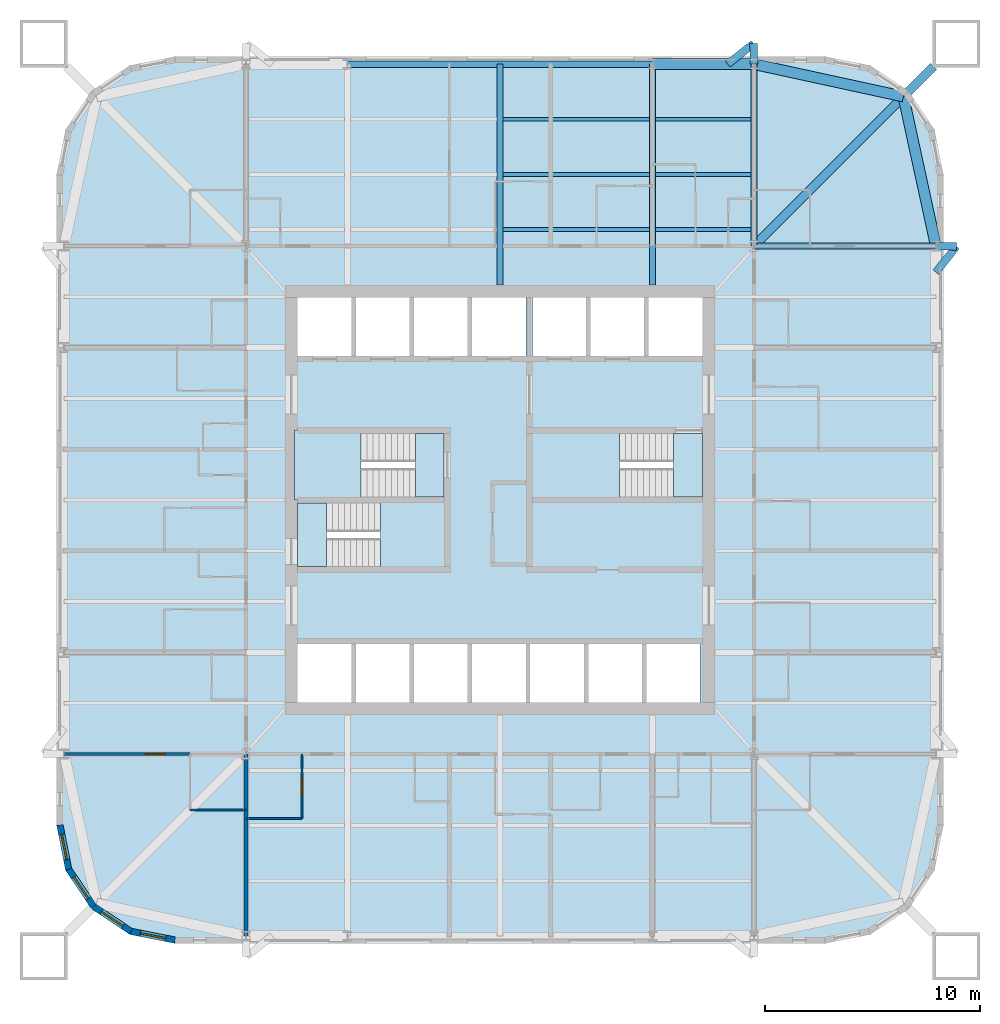
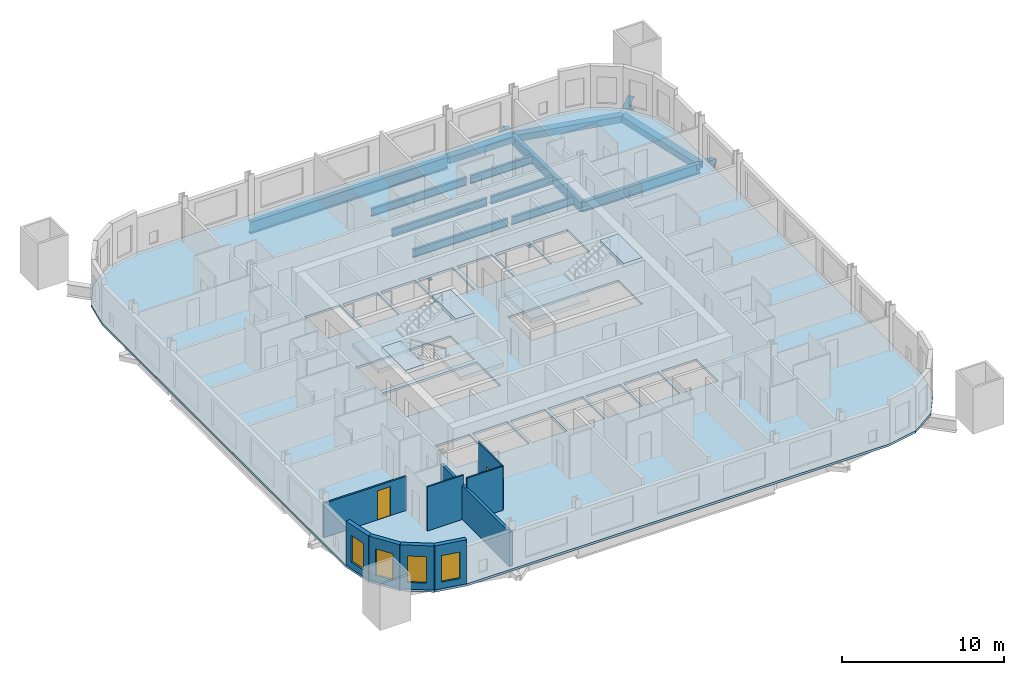
# One storey, part 2 of 9: 19 beams, 9 walls, 7 slabs, 4 windows, 2 doors, 6 openings, 3 elements without a shape of their own.
"""IFC4 building model written with IfcOpenShell, lengths in metres."""

from ifc_helpers import new_model, si_unit, direction, frame, frame_2d, origin, origin_2d, place, context, subcontext, project, spatial, polyline, rectangle, hollow_rectangle, i_section, outline, extrude, material, layer, layer_set, material_profile, profile_set, type_object, element, fill, aggregate, save


model = new_model("IFC4")

# Units and contexts
model_context = context("Model", 3, precision=1e-05, world=origin(), true_north=direction((0.0, 1.0)))
body_context = subcontext(model_context, "Body", "Model", "MODEL_VIEW")
ifc_project = project(units=[si_unit("LENGTHUNIT", "METRE"), si_unit("AREAUNIT", "SQUARE_METRE"), si_unit("VOLUMEUNIT", "CUBIC_METRE"), si_unit("PLANEANGLEUNIT", "RADIAN"), si_unit("MASSUNIT", "GRAM", prefix="KILO")], contexts=[model_context])

# Site, building, storey
site_placement = place(None, origin())
site = spatial("IfcSite", under=ifc_project, at=site_placement, CompositionType="ELEMENT")
building_placement = place(site_placement, origin())
building = spatial("IfcBuilding", under=site, at=building_placement, Name="Turquesa Mirador Hotel Tower", CompositionType="ELEMENT")
storey_placement = place(building_placement, frame((0.0, 0.0, 142.39990234375)))
storey = spatial("IfcBuildingStorey", under=building, at=storey_placement, Name="L38", CompositionType="ELEMENT", Elevation=142.39990234375)

# Beams
ifc_material_1 = material(Name="Steel ASTM A572 Grade 50", Category="steel")
ifc_material_profile_1 = material_profile(ifc_material_1, hollow_rectangle(XDim=0.5, YDim=0.5, WallThickness=0.01611328125, at=origin_2d()), Name="BOX500X500X16")
ifc_profile_set_1 = profile_set([ifc_material_profile_1], Name="Steel ASTM A572 Grade 50")
beam_type_1 = type_object("IfcBeamType", Name="BEAM BOX500X500X16", PredefinedType="BEAM", material=ifc_profile_set_1)
beam_1_placement = place(storey_placement, frame((62.080078125, 65.25, -0.419921875), z_axis=(1.0, 0.0, 0.0), x_axis=(0.0, 1.0, 0.0)))
element("IfcBeam", 1, at=beam_1_placement, inside=storey, type_object=beam_type_1, Name="EB-L38-N-R", PredefinedType="BEAM", context=body_context, shape_type="SweptSolid", body=[
    extrude(hollow_rectangle(XDim=0.5, YDim=0.5, WallThickness=0.01611328125, at=origin_2d()), origin(), (0.0, 0.0, 1.0), 4.719970703125),
])
for number, where, z_axis, x_axis, name in (
    (2, (75.25, 56.800048828125, -0.419921875), (-0.212328336885, 0.977198381781, 0.0), (-0.977198381781, -0.212328336885, 0.0), "KE-L38-1-0"),
    (3, (73.74169921875, 63.74169921875, -0.419921875), (-0.977198381781, 0.212328336885, 0.0), (-0.212328336885, -0.977198381781, 0.0), "KE-L38-1-1"),
):
    element("IfcBeam", number, at=place(storey_placement, frame(where, z_axis=z_axis, x_axis=x_axis)), inside=storey, type_object=beam_type_1, Name=name, PredefinedType="BEAM", context=body_context, shape_type="SweptSolid", body=[
        extrude(hollow_rectangle(XDim=0.5, YDim=0.5, WallThickness=0.01611328125, at=origin_2d()), origin(), (0.0, 0.0, 1.0), 7.103515625),
    ])
ifc_material_2 = material(Name="Steel ASTM A992 Grade 50", Category="steel")
ifc_material_profile_2 = material_profile(ifc_material_2, i_section(OverallWidth=0.177978515625, OverallDepth=0.599365234375, WebThickness=0.010009765625, FlangeThickness=0.012939453125, at=origin_2d()), Name="W24X55")
ifc_profile_set_2 = profile_set([ifc_material_profile_2], Name="Steel ASTM A992 Grade 50")
beam_type_2 = type_object("IfcBeamType", Name="BEAM W24X55", PredefinedType="BEAM", material=ifc_profile_set_2)
beam_2_placement = place(storey_placement, frame((55.13330078125, 57.56201171875, -0.4697265625), z_axis=(1.0, 0.0, 0.0), x_axis=(0.0, 1.0, 0.0)))
element("IfcBeam", 4, at=beam_2_placement, inside=storey, type_object=beam_type_2, Name="IB-L38-N-1-2", PredefinedType="BEAM", context=body_context, shape_type="SweptSolid", body=[
    extrude(i_section(OverallWidth=0.177978515625, OverallDepth=0.599365234375, WebThickness=0.010009765625, FlangeThickness=0.012939453125, at=origin_2d()), origin(), (0.0, 0.0, 1.0), 6.813232421875),
])
beam_3_placement = place(storey_placement, frame((62.21337890625, 57.56201171875, -0.4697265625), z_axis=(1.0, 0.0, 0.0), x_axis=(0.0, 1.0, 0.0)))
element("IfcBeam", 5, at=beam_3_placement, inside=storey, type_object=beam_type_2, Name="IB-L38-N-1-3", PredefinedType="BEAM", context=body_context, shape_type="SweptSolid", body=[
    extrude(i_section(OverallWidth=0.177978515625, OverallDepth=0.599365234375, WebThickness=0.010009765625, FlangeThickness=0.012939453125, at=origin_2d()), origin(), (0.0, 0.0, 1.0), 4.453369140625),
])
beam_4_placement = place(storey_placement, frame((55.13330078125, 60.125, -0.4697265625), z_axis=(1.0, 0.0, 0.0), x_axis=(0.0, 1.0, 0.0)))
element("IfcBeam", 6, at=beam_4_placement, inside=storey, type_object=beam_type_2, Name="IB-L38-N-2-2", PredefinedType="BEAM", context=body_context, shape_type="SweptSolid", body=[
    extrude(i_section(OverallWidth=0.177978515625, OverallDepth=0.599365234375, WebThickness=0.010009765625, FlangeThickness=0.012939453125, at=origin_2d()), origin(), (0.0, 0.0, 1.0), 6.813232421875),
])
beam_5_placement = place(storey_placement, frame((62.21337890625, 60.125, -0.4697265625), z_axis=(1.0, 0.0, 0.0), x_axis=(0.0, 1.0, 0.0)))
element("IfcBeam", 7, at=beam_5_placement, inside=storey, type_object=beam_type_2, Name="IB-L38-N-2-3", PredefinedType="BEAM", context=body_context, shape_type="SweptSolid", body=[
    extrude(i_section(OverallWidth=0.177978515625, OverallDepth=0.599365234375, WebThickness=0.010009765625, FlangeThickness=0.012939453125, at=origin_2d()), origin(), (0.0, 0.0, 1.0), 4.453369140625),
])
beam_6_placement = place(storey_placement, frame((55.13330078125, 62.68798828125, -0.4697265625), z_axis=(1.0, 0.0, 0.0), x_axis=(0.0, 1.0, 0.0)))
element("IfcBeam", 8, at=beam_6_placement, inside=storey, type_object=beam_type_2, Name="IB-L38-N-3-2", PredefinedType="BEAM", context=body_context, shape_type="SweptSolid", body=[
    extrude(i_section(OverallWidth=0.177978515625, OverallDepth=0.599365234375, WebThickness=0.010009765625, FlangeThickness=0.012939453125, at=origin_2d()), origin(), (0.0, 0.0, 1.0), 6.813232421875),
])
beam_7_placement = place(storey_placement, frame((62.21337890625, 62.68798828125, -0.4697265625), z_axis=(1.0, 0.0, 0.0), x_axis=(0.0, 1.0, 0.0)))
element("IfcBeam", 9, at=beam_7_placement, inside=storey, type_object=beam_type_2, Name="IB-L38-N-3-3", PredefinedType="BEAM", context=body_context, shape_type="SweptSolid", body=[
    extrude(i_section(OverallWidth=0.177978515625, OverallDepth=0.599365234375, WebThickness=0.010009765625, FlangeThickness=0.012939453125, at=origin_2d()), origin(), (0.0, 0.0, 1.0), 4.453369140625),
])
ifc_material_3 = material(Name="Steel ASTM A992 Grade 50", Category="steel")
ifc_material_profile_3 = material_profile(ifc_material_3, i_section(OverallWidth=0.2666015625, OverallDepth=0.7568359375, WebThickness=0.013916015625, FlangeThickness=0.019287109375, at=origin_2d()), Name="W30X108")
ifc_profile_set_3 = profile_set([ifc_material_profile_3], Name="Steel ASTM A992 Grade 50")
beam_type_3 = type_object("IfcBeamType", Name="BEAM W30X108", PredefinedType="BEAM", material=ifc_profile_set_3)
for number, where, z_axis, x_axis, name in (
    (10, (62.080078125, 65.25, -0.54833984375), (0.0, -1.0, 0.0), (1.0, 0.0, 0.0), "GD-L38-N-+7.08"),
    (11, (55.0, 65.25, -0.54833984375), (0.0, -1.0, 0.0), (1.0, 0.0, 0.0), "GD-L38-N-+0.00"),
):
    element("IfcBeam", number, at=place(storey_placement, frame(where, z_axis=z_axis, x_axis=x_axis)), inside=storey, type_object=beam_type_3, Name=name, PredefinedType="BEAM", context=body_context, shape_type="SweptSolid", body=[
        extrude(i_section(OverallWidth=0.2666015625, OverallDepth=0.7568359375, WebThickness=0.013916015625, FlangeThickness=0.019287109375, at=origin_2d()), origin(), (0.0, 0.0, 1.0), 10.25),
    ])
for number, where, z_axis, x_axis, name in (
    (12, (66.800048828125, 65.25, -0.54833984375), (0.0, -1.0, 0.0), (1.0, 0.0, 0.0), "GK-L38-N-+11.80"),
    (13, (75.25, 56.800048828125, -0.54833984375), (-1.0, 0.0, 0.0), (0.0, -1.0, 0.0), "GK-L38-E-+11.80"),
):
    element("IfcBeam", number, at=place(storey_placement, frame(where, z_axis=z_axis, x_axis=x_axis)), inside=storey, type_object=beam_type_3, Name=name, PredefinedType="BEAM", context=body_context, shape_type="SweptSolid", body=[
        extrude(i_section(OverallWidth=0.2666015625, OverallDepth=0.7568359375, WebThickness=0.013916015625, FlangeThickness=0.019287109375, at=origin_2d()), origin(), (0.0, 0.0, 1.0), 8.449951171875),
    ])
ifc_material_4 = material(Name="Steel ASTM A992 Grade 50", Category="steel")
ifc_material_profile_4 = material_profile(ifc_material_4, i_section(OverallWidth=0.3046875, OverallDepth=0.911865234375, WebThickness=0.015869140625, FlangeThickness=0.02392578125, at=origin_2d()), Name="W36X150")
ifc_profile_set_4 = profile_set([ifc_material_profile_4], Name="Steel ASTM A992 Grade 50")
beam_type_4 = type_object("IfcBeamType", Name="BEAM W36X150", PredefinedType="BEAM", material=ifc_profile_set_4)
beam_8_placement = place(storey_placement, frame((47.919921875, 65.25, -0.625732421875), z_axis=(1.0, 0.0, 0.0), x_axis=(0.0, 1.0, 0.0)))
element("IfcBeam", 14, at=beam_8_placement, inside=storey, type_object=beam_type_4, Name="EB-L38-N-C", PredefinedType="BEAM", context=body_context, shape_type="SweptSolid", body=[
    extrude(i_section(OverallWidth=0.3046875, OverallDepth=0.911865234375, WebThickness=0.015869140625, FlangeThickness=0.02392578125, at=origin_2d()), origin(), (0.0, 0.0, 1.0), 14.16015625),
])
ifc_material_5 = material(Name="Steel ASTM A992 Grade 50", Category="steel")
ifc_material_profile_5 = material_profile(ifc_material_5, i_section(OverallWidth=0.419189453125, OverallDepth=0.927001953125, WebThickness=0.019287109375, FlangeThickness=0.031982421875, at=origin_2d()), Name="W36X231")
ifc_profile_set_5 = profile_set([ifc_material_profile_5], Name="Steel ASTM A992 Grade 50")
beam_type_5 = type_object("IfcBeamType", Name="BEAM W36X231", PredefinedType="BEAM", material=ifc_profile_set_5)
beam_9_placement = place(storey_placement, frame((66.800048828125, 56.800048828125, -0.633544921875), z_axis=(0.707106781187, 0.707106781187, 0.0), x_axis=(-0.707106781187, 0.707106781187, 0.0)))
element("IfcBeam", 15, at=beam_9_placement, inside=storey, type_object=beam_type_5, Name="KD-L38-1", PredefinedType="BEAM", context=body_context, shape_type="SweptSolid", body=[
    extrude(i_section(OverallWidth=0.419189453125, OverallDepth=0.927001953125, WebThickness=0.019287109375, FlangeThickness=0.031982421875, at=origin_2d()), origin(), (0.0, 0.0, 1.0), 11.80859375),
])
ifc_material_6 = material(Name="Steel ASTM A500 Grade C", Category="steel")
ifc_material_profile_6 = material_profile(ifc_material_6, hollow_rectangle(XDim=0.355712890625, YDim=0.355712890625, WallThickness=0.0146484375, at=origin_2d()), Name="HSS14X14X5/8")
ifc_profile_set_6 = profile_set([ifc_material_profile_6], Name="Steel ASTM A500 Grade C")
beam_type_6 = type_object("IfcBeamType", Name="BRACE STRUT HSS14X14X5/8", PredefinedType="BEAM", material=ifc_profile_set_6)
beam_10_placement = place(storey_placement, frame((66.77783203125, 66.199951171875, -0.34765625), z_axis=(-0.784049059149, -0.620698858423, 0.0), x_axis=(0.620698858423, -0.784049059149, 0.0)))
element("IfcBeam", 16, at=beam_10_placement, inside=storey, type_object=beam_type_6, Name="Brace strut", PredefinedType="BEAM", context=body_context, shape_type="SweptSolid", body=[
    extrude(hollow_rectangle(XDim=0.355712890625, YDim=0.355712890625, WallThickness=0.0146484375, at=origin_2d()), origin(), (0.0, 0.0, 1.0), 1.530517578125),
])
beam_11_placement = place(storey_placement, frame((66.77783203125, 66.199951171875, -0.34765625), z_axis=(0.023380910628, -0.999726629143, 0.0), x_axis=(0.999726629143, 0.023380910628, 0.0)))
element("IfcBeam", 17, at=beam_11_placement, inside=storey, type_object=beam_type_6, Name="Brace strut", PredefinedType="BEAM", context=body_context, shape_type="SweptSolid", body=[
    extrude(hollow_rectangle(XDim=0.355712890625, YDim=0.355712890625, WallThickness=0.0146484375, at=origin_2d()), origin(), (0.0, 0.0, 1.0), 0.9501953125),
])
beam_12_placement = place(storey_placement, frame((76.199951171875, 56.77783203125, -0.34765625), z_axis=(-0.620698858423, -0.784049059149, 0.0), x_axis=(0.784049059149, -0.620698858423, 0.0)))
element("IfcBeam", 18, at=beam_12_placement, inside=storey, type_object=beam_type_6, Name="Brace strut", PredefinedType="BEAM", context=body_context, shape_type="SweptSolid", body=[
    extrude(hollow_rectangle(XDim=0.355712890625, YDim=0.355712890625, WallThickness=0.0146484375, at=origin_2d()), origin(), (0.0, 0.0, 1.0), 1.530517578125),
])
beam_13_placement = place(storey_placement, frame((76.199951171875, 56.77783203125, -0.34765625), z_axis=(-0.999726629143, 0.023380910628, 0.0), x_axis=(-0.023380910628, -0.999726629143, 0.0)))
element("IfcBeam", 19, at=beam_13_placement, inside=storey, type_object=beam_type_6, Name="Brace strut", PredefinedType="BEAM", context=body_context, shape_type="SweptSolid", body=[
    extrude(hollow_rectangle(XDim=0.355712890625, YDim=0.355712890625, WallThickness=0.0146484375, at=origin_2d()), origin(), (0.0, 0.0, 1.0), 0.9501953125),
])

# Slab
ifc_material_7 = material(Name="Concrete C28/35", Category="concrete")
ifc_layer_1 = layer(ifc_material_7, 0.169921875)
ifc_layer_set_1 = layer_set([ifc_layer_1], Name="COMPOSITE FLOOR SLAB 170")
slab_type_1 = type_object("IfcSlabType", Name="COMPOSITE FLOOR SLAB 170", PredefinedType="FLOOR", material=ifc_layer_set_1)
slab_1_placement = place(storey_placement, frame((0.0, 0.0, -0.169921875)))
element("IfcSlab", 20, at=slab_1_placement, inside=storey, type_object=slab_type_1, Name="Floor slab L38", PredefinedType="FLOOR", context=body_context, shape_type="SweptSolid", body=[
    extrude(outline(polyline([(70.10009765625, 24.39990234375), (72.204833984375, 24.818603515625), (73.989013671875, 26.010986328125), (75.181396484375, 27.795166015625), (75.60009765625, 29.89990234375), (75.60009765625, 60.10009765625), (75.181396484375, 62.204833984375), (73.989013671875, 63.989013671875), (72.204833984375, 65.181396484375), (70.10009765625, 65.60009765625), (39.89990234375, 65.60009765625), (37.795166015625, 65.181396484375), (36.010986328125, 63.989013671875), (34.818603515625, 62.204833984375), (34.39990234375, 60.10009765625), (34.39990234375, 29.89990234375), (34.818603515625, 27.795166015625), (36.010986328125, 26.010986328125), (37.795166015625, 24.818603515625), (39.89990234375, 24.39990234375), (70.10009765625, 24.39990234375)]), holes=[polyline([(45.60009765625, 51.699951171875), (48.10009765625, 51.699951171875), (48.10009765625, 54.39990234375), (45.60009765625, 54.39990234375), (45.60009765625, 51.699951171875)]), polyline([(48.300048828125, 51.699951171875), (50.800048828125, 51.699951171875), (50.800048828125, 54.39990234375), (48.300048828125, 54.39990234375), (48.300048828125, 51.699951171875)]), polyline([(51.0, 51.699951171875), (53.5, 51.699951171875), (53.5, 54.39990234375), (51.0, 54.39990234375), (51.0, 51.699951171875)]), polyline([(53.699951171875, 51.699951171875), (56.199951171875, 51.699951171875), (56.199951171875, 54.39990234375), (53.699951171875, 54.39990234375), (53.699951171875, 51.699951171875)]), polyline([(56.5, 51.699951171875), (59.0, 51.699951171875), (59.0, 54.39990234375), (56.5, 54.39990234375), (56.5, 51.699951171875)]), polyline([(59.199951171875, 51.699951171875), (61.699951171875, 51.699951171875), (61.699951171875, 54.39990234375), (59.199951171875, 54.39990234375), (59.199951171875, 51.699951171875)]), polyline([(45.60009765625, 35.60009765625), (48.10009765625, 35.60009765625), (48.10009765625, 38.300048828125), (45.60009765625, 38.300048828125), (45.60009765625, 35.60009765625)]), polyline([(48.300048828125, 35.60009765625), (50.800048828125, 35.60009765625), (50.800048828125, 38.300048828125), (48.300048828125, 38.300048828125), (48.300048828125, 35.60009765625)]), polyline([(51.0, 35.60009765625), (53.5, 35.60009765625), (53.5, 38.300048828125), (51.0, 38.300048828125), (51.0, 35.60009765625)]), polyline([(53.699951171875, 35.60009765625), (56.199951171875, 35.60009765625), (56.199951171875, 38.300048828125), (53.699951171875, 38.300048828125), (53.699951171875, 35.60009765625)]), polyline([(56.39990234375, 35.60009765625), (58.89990234375, 35.60009765625), (58.89990234375, 38.300048828125), (56.39990234375, 38.300048828125), (56.39990234375, 35.60009765625)]), polyline([(59.10009765625, 35.60009765625), (61.60009765625, 35.60009765625), (61.60009765625, 38.300048828125), (59.10009765625, 38.300048828125), (59.10009765625, 35.60009765625)]), polyline([(61.800048828125, 35.60009765625), (64.300048828125, 35.60009765625), (64.300048828125, 38.300048828125), (61.800048828125, 38.300048828125), (61.800048828125, 35.60009765625)]), polyline([(45.60009765625, 45.14990234375), (52.39990234375, 45.14990234375), (52.39990234375, 48.10009765625), (45.60009765625, 48.10009765625), (45.60009765625, 45.14990234375)]), polyline([(45.60009765625, 41.89990234375), (52.39990234375, 41.89990234375), (52.39990234375, 44.85009765625), (45.60009765625, 44.85009765625), (45.60009765625, 41.89990234375)]), polyline([(56.5, 45.14990234375), (64.39990234375, 45.14990234375), (64.39990234375, 48.10009765625), (56.5, 48.10009765625), (56.5, 45.14990234375)]), polyline([(61.89990234375, 51.699951171875), (64.39990234375, 51.699951171875), (64.39990234375, 54.39990234375), (61.89990234375, 54.39990234375), (61.89990234375, 51.699951171875)])]), origin(), (0.0, 0.0, 1.0), 0.169921875),
])

# Stair, slabs
ifc_material_8 = material(Name="Concrete C35/45", Category="concrete")
stair_type = type_object("IfcStairType", Name="ESCAPE STAIR CORE", PredefinedType="HALF_TURN_STAIR", material=ifc_material_8)
stair_1_placement = place(storey_placement, origin())
stair_1 = element("IfcStair", 21, at=stair_1_placement, inside=storey, type_object=stair_type, Name="Stair ST1 L38 to L39", PredefinedType="HALF_TURN_STAIR")
ifc_material_9 = material(Name="Concrete C35/45", Category="concrete")
ifc_layer_2 = layer(ifc_material_9, 0.300048828125)
ifc_layer_set_2 = layer_set([ifc_layer_2], Name="STAIR LANDING 300")
slab_type_2 = type_object("IfcSlabType", Name="STAIR LANDING 300", PredefinedType="LANDING", material=ifc_layer_set_2)
slab_2_placement = place(storey_placement, frame((0.0, 0.0, 1.4501953125)))
slab_2 = element("IfcSlab", 22, at=slab_2_placement, type_object=slab_type_2, Name="ST1 landing 1", PredefinedType="LANDING", context=body_context, shape_type="SweptSolid", body=[
    extrude(outline(polyline([(45.449951171875, 45.0), (48.550048828125, 45.0), (48.550048828125, 48.25), (45.449951171875, 48.25), (45.449951171875, 45.0)])), origin(), (0.0, 0.0, 1.0), 0.2998046875),
])
slab_3_placement = place(storey_placement, frame((0.0, 0.0, 3.2001953125)))
slab_3 = element("IfcSlab", 23, at=slab_3_placement, type_object=slab_type_2, Name="ST1 landing 2", PredefinedType="LANDING", context=body_context, shape_type="SweptSolid", body=[
    extrude(outline(polyline([(51.070068359375, 45.14990234375), (52.39990234375, 45.14990234375), (52.39990234375, 48.10009765625), (51.070068359375, 48.10009765625), (51.070068359375, 45.14990234375)])), origin(), (0.0, 0.0, 1.0), 0.2998046875),
])
aggregate(stair_1, [slab_2, slab_3])

stair_2_placement = place(storey_placement, origin())
stair_2 = element("IfcStair", 24, at=stair_2_placement, inside=storey, type_object=stair_type, Name="Stair ST2 L38 to L39", PredefinedType="HALF_TURN_STAIR")
slab_4_placement = place(storey_placement, frame((0.0, 0.0, 1.4501953125)))
slab_4 = element("IfcSlab", 25, at=slab_4_placement, type_object=slab_type_2, Name="ST2 landing 1", PredefinedType="LANDING", context=body_context, shape_type="SweptSolid", body=[
    extrude(outline(polyline([(52.550048828125, 45.0), (49.449951171875, 45.0), (49.449951171875, 41.75), (52.550048828125, 41.75), (52.550048828125, 45.0)])), origin(), (0.0, 0.0, 1.0), 0.2998046875),
])
slab_5_placement = place(storey_placement, frame((0.0, 0.0, 3.2001953125)))
slab_5 = element("IfcSlab", 26, at=slab_5_placement, type_object=slab_type_2, Name="ST2 landing 2", PredefinedType="LANDING", context=body_context, shape_type="SweptSolid", body=[
    extrude(outline(polyline([(46.929931640625, 44.85009765625), (45.60009765625, 44.85009765625), (45.60009765625, 41.89990234375), (46.929931640625, 41.89990234375), (46.929931640625, 44.85009765625)])), origin(), (0.0, 0.0, 1.0), 0.2998046875),
])
aggregate(stair_2, [slab_4, slab_5])

stair_3_placement = place(storey_placement, origin())
stair_3 = element("IfcStair", 27, at=stair_3_placement, inside=storey, type_object=stair_type, Name="Stair ST3 L38 to L39", PredefinedType="HALF_TURN_STAIR")
slab_6_placement = place(storey_placement, frame((0.0, 0.0, 1.4501953125)))
slab_6 = element("IfcSlab", 28, at=slab_6_placement, type_object=slab_type_2, Name="ST3 landing 1", PredefinedType="LANDING", context=body_context, shape_type="SweptSolid", body=[
    extrude(outline(polyline([(56.35009765625, 45.0), (60.550048828125, 45.0), (60.550048828125, 48.25), (56.35009765625, 48.25), (56.35009765625, 45.0)])), origin(), (0.0, 0.0, 1.0), 0.2998046875),
])
slab_7_placement = place(storey_placement, frame((0.0, 0.0, 3.2001953125)))
slab_7 = element("IfcSlab", 29, at=slab_7_placement, type_object=slab_type_2, Name="ST3 landing 2", PredefinedType="LANDING", context=body_context, shape_type="SweptSolid", body=[
    extrude(outline(polyline([(63.070068359375, 45.14990234375), (64.39990234375, 45.14990234375), (64.39990234375, 48.10009765625), (63.070068359375, 48.10009765625), (63.070068359375, 45.14990234375)])), origin(), (0.0, 0.0, 1.0), 0.2998046875),
])
aggregate(stair_3, [slab_6, slab_7])

# Walls
ifc_material_10 = material(Name="Gypsum board on steel studs", Category="steel")
ifc_layer_3 = layer(ifc_material_10, 0.10009765625)
ifc_layer_set_3 = layer_set([ifc_layer_3], Name="BATHROOM WALL 100")
wall_type_1 = type_object("IfcWallType", Name="BATHROOM WALL 100", PredefinedType="PARTITIONING", material=ifc_layer_set_3)
wall_1_placement = place(storey_placement, frame((40.60009765625, 30.60009765625, 0.0), z_axis=(0.0, 0.0, 1.0), x_axis=(1.0, 0.0, 0.0)))
element("IfcWall", 30, at=wall_1_placement, inside=storey, type_object=wall_type_1, Name="Partition L38 010", PredefinedType="PARTITIONING", context=body_context, shape_type="SweptSolid", body=[
    extrude(rectangle(XDim=2.599853515625, YDim=0.10009765625, at=frame_2d((1.2998046875, 0.0))), origin(), (0.0, 0.0, 1.0), 3.330078125),
])
wall_2_placement = place(storey_placement, frame((43.199951171875, 30.199951171875, 0.0), z_axis=(0.0, 0.0, 1.0), x_axis=(1.0, 0.0, 0.0)))
element("IfcWall", 31, at=wall_2_placement, inside=storey, type_object=wall_type_1, Name="Partition L38 014", PredefinedType="PARTITIONING", context=body_context, shape_type="SweptSolid", body=[
    extrude(rectangle(XDim=2.60009765625, YDim=0.10009765625, at=frame_2d((1.300048828125, 0.0))), origin(), (0.0, 0.0, 1.0), 3.330078125),
])

# Wall, opening, door
wall_3_placement = place(storey_placement, frame((45.800048828125, 30.199951171875, 0.0), z_axis=(0.0, 0.0, 1.0), x_axis=(0.0, 1.0, 0.0)))
wall_3 = element("IfcWall", 32, at=wall_3_placement, inside=storey, type_object=wall_type_1, Name="Partition L38 067", PredefinedType="PARTITIONING", context=body_context, shape_type="SweptSolid", body=[
    extrude(rectangle(XDim=3.0, YDim=0.10009765625, at=frame_2d((1.5, 0.0))), origin(), (0.0, 0.0, 1.0), 3.330078125),
])
opening_1_placement = place(wall_3_placement, frame((1.050048828125, 0.0, 0.0)))
opening_1 = element("IfcOpeningElement", 33, at=opening_1_placement, cuts=wall_3, Name="Opening D02", PredefinedType="OPENING", context=body_context, shape_type="SweptSolid", body=[
    extrude(rectangle(XDim=0.89990234375, YDim=2.10009765625, at=frame_2d((0.449951171875, 1.050048828125))), frame((0.0, 0.06005859375, 0.0), z_axis=(0.0, -1.0, 0.0), x_axis=(1.0, 0.0, 0.0)), (0.0, 0.0, 1.0), 0.1201171875),
])
ifc_material_11 = material(Name="Timber veneered door", Category="wood")
door_type_1 = type_object("IfcDoorType", Name="DOOR 900X2100 EN-SUITE", OperationType="SINGLE_SWING_RIGHT", PredefinedType="DOOR", material=ifc_material_11)
door_1_placement = place(opening_1_placement, origin())
door_1 = element("IfcDoor", 34, at=door_1_placement, inside=storey, type_object=door_type_1, Name="Door 3804B", OperationType="SINGLE_SWING_RIGHT", OverallHeight=2.10009765625, OverallWidth=0.89990234375, PredefinedType="DOOR", context=body_context, shape_type="SweptSolid", body=[
    extrude(rectangle(XDim=0.89990234375, YDim=2.10009765625, at=frame_2d((0.449951171875, 1.050048828125))), frame((0.0, 0.02490234375, 0.0), z_axis=(0.0, -1.0, 0.0), x_axis=(1.0, 0.0, 0.0)), (0.0, 0.0, 1.0), 0.050048828125),
])
fill(opening_1, door_1)

# Wall, opening, window
ifc_material_12 = material(Name="Limestone cladding on concrete block", Category="masonry")
ifc_layer_4 = layer(ifc_material_12, 0.300048828125)
ifc_layer_set_4 = layer_set([ifc_layer_4], Name="FACADE WALL 300 STONE SCREEN")
wall_type_2 = type_object("IfcWallType", Name="FACADE WALL 300 STONE SCREEN", PredefinedType="SOLIDWALL", material=ifc_layer_set_4)
wall_4_placement = place(storey_placement, frame((34.550048828125, 29.89990234375, 0.0), z_axis=(0.0, 0.0, 1.0), x_axis=(0.195081421501, -0.980787050784, 0.0)))
wall_4 = element("IfcWall", 35, at=wall_4_placement, inside=storey, type_object=wall_type_2, Name="Facade wall L38 15", PredefinedType="SOLIDWALL", context=body_context, shape_type="SweptSolid", body=[
    extrude(rectangle(XDim=2.08740234375, YDim=0.300048828125, at=frame_2d((1.043701171875, 0.0))), origin(), (0.0, 0.0, 1.0), 3.330078125),
])
opening_2_placement = place(wall_4_placement, frame((0.443603515625, 0.0, 0.5)))
opening_2 = element("IfcOpeningElement", 36, at=opening_2_placement, cuts=wall_4, Name="Opening WN4", PredefinedType="OPENING", context=body_context, shape_type="SweptSolid", body=[
    extrude(rectangle(XDim=1.199951171875, YDim=2.0, at=frame_2d((0.60009765625, 1.0))), frame((0.0, 0.159912109375, 0.0), z_axis=(0.0, -1.0, 0.0), x_axis=(1.0, 0.0, 0.0)), (0.0, 0.0, 1.0), 0.320068359375),
])
ifc_material_13 = material(Name="Ceramic-fritted laminated glass", Category="glass")
window_type = type_object("IfcWindowType", Name="FRITTED CORNER WINDOW 1200X2000", PartitioningType="DOUBLE_PANEL_HORIZONTAL", PredefinedType="WINDOW", material=ifc_material_13)
window_1_placement = place(opening_2_placement, origin())
window_1 = element("IfcWindow", 37, at=window_1_placement, inside=storey, type_object=window_type, Name="Window L38", OverallHeight=2.0, OverallWidth=1.199951171875, PartitioningType="SINGLE_PANEL", PredefinedType="WINDOW", context=body_context, shape_type="SweptSolid", body=[
    extrude(rectangle(XDim=1.199951171875, YDim=2.0, at=frame_2d((0.60009765625, 1.0))), frame((0.0, 0.030029296875, 0.0), z_axis=(0.0, -1.0, 0.0), x_axis=(1.0, 0.0, 0.0)), (0.0, 0.0, 1.0), 0.06005859375),
])
fill(opening_2, window_1)

wall_5_placement = place(storey_placement, frame((34.957275390625, 27.8525390625, 0.0), z_axis=(0.0, 0.0, 1.0), x_axis=(0.555563607591, -0.831474039234, 0.0)))
wall_5 = element("IfcWall", 38, at=wall_5_placement, inside=storey, type_object=wall_type_2, Name="Facade wall L38 16", PredefinedType="SOLIDWALL", context=body_context, shape_type="SweptSolid", body=[
    extrude(rectangle(XDim=2.08740234375, YDim=0.300048828125, at=frame_2d((1.043701171875, 0.0))), origin(), (0.0, 0.0, 1.0), 3.330078125),
])
opening_3_placement = place(wall_5_placement, frame((0.443603515625, 0.0, 0.5)))
opening_3 = element("IfcOpeningElement", 39, at=opening_3_placement, cuts=wall_5, Name="Opening WN4", PredefinedType="OPENING", context=body_context, shape_type="SweptSolid", body=[
    extrude(rectangle(XDim=1.199951171875, YDim=2.0, at=frame_2d((0.60009765625, 1.0))), frame((0.0, 0.159912109375, 0.0), z_axis=(0.0, -1.0, 0.0), x_axis=(1.0, 0.0, 0.0)), (0.0, 0.0, 1.0), 0.320068359375),
])
window_2_placement = place(opening_3_placement, origin())
window_2 = element("IfcWindow", 40, at=window_2_placement, inside=storey, type_object=window_type, Name="Window L38", OverallHeight=2.0, OverallWidth=1.199951171875, PartitioningType="SINGLE_PANEL", PredefinedType="WINDOW", context=body_context, shape_type="SweptSolid", body=[
    extrude(rectangle(XDim=1.199951171875, YDim=2.0, at=frame_2d((0.60009765625, 1.0))), frame((0.0, 0.030029296875, 0.0), z_axis=(0.0, -1.0, 0.0), x_axis=(1.0, 0.0, 0.0)), (0.0, 0.0, 1.0), 0.06005859375),
])
fill(opening_3, window_2)

wall_6_placement = place(storey_placement, frame((36.116943359375, 26.116943359375, 0.0), z_axis=(0.0, 0.0, 1.0), x_axis=(0.831474039234, -0.555563607591, 0.0)))
wall_6 = element("IfcWall", 41, at=wall_6_placement, inside=storey, type_object=wall_type_2, Name="Facade wall L38 17", PredefinedType="SOLIDWALL", context=body_context, shape_type="SweptSolid", body=[
    extrude(rectangle(XDim=2.08740234375, YDim=0.300048828125, at=frame_2d((1.043701171875, 0.0))), origin(), (0.0, 0.0, 1.0), 3.330078125),
])
opening_4_placement = place(wall_6_placement, frame((0.443603515625, 0.0, 0.5)))
opening_4 = element("IfcOpeningElement", 42, at=opening_4_placement, cuts=wall_6, Name="Opening WN4", PredefinedType="OPENING", context=body_context, shape_type="SweptSolid", body=[
    extrude(rectangle(XDim=1.199951171875, YDim=2.0, at=frame_2d((0.60009765625, 1.0))), frame((0.0, 0.159912109375, 0.0), z_axis=(0.0, -1.0, 0.0), x_axis=(1.0, 0.0, 0.0)), (0.0, 0.0, 1.0), 0.320068359375),
])
window_3_placement = place(opening_4_placement, origin())
window_3 = element("IfcWindow", 43, at=window_3_placement, inside=storey, type_object=window_type, Name="Window L38", OverallHeight=2.0, OverallWidth=1.199951171875, PartitioningType="SINGLE_PANEL", PredefinedType="WINDOW", context=body_context, shape_type="SweptSolid", body=[
    extrude(rectangle(XDim=1.199951171875, YDim=2.0, at=frame_2d((0.60009765625, 1.0))), frame((0.0, 0.030029296875, 0.0), z_axis=(0.0, -1.0, 0.0), x_axis=(1.0, 0.0, 0.0)), (0.0, 0.0, 1.0), 0.06005859375),
])
fill(opening_4, window_3)

wall_7_placement = place(storey_placement, frame((37.8525390625, 24.957275390625, 0.0), z_axis=(0.0, 0.0, 1.0), x_axis=(0.980787050784, -0.195081421501, 0.0)))
wall_7 = element("IfcWall", 44, at=wall_7_placement, inside=storey, type_object=wall_type_2, Name="Facade wall L38 18", PredefinedType="SOLIDWALL", context=body_context, shape_type="SweptSolid", body=[
    extrude(rectangle(XDim=2.08740234375, YDim=0.300048828125, at=frame_2d((1.043701171875, 0.0))), origin(), (0.0, 0.0, 1.0), 3.330078125),
])
opening_5_placement = place(wall_7_placement, frame((0.443603515625, 0.0, 0.5)))
opening_5 = element("IfcOpeningElement", 45, at=opening_5_placement, cuts=wall_7, Name="Opening WN4", PredefinedType="OPENING", context=body_context, shape_type="SweptSolid", body=[
    extrude(rectangle(XDim=1.199951171875, YDim=2.0, at=frame_2d((0.60009765625, 1.0))), frame((0.0, 0.159912109375, 0.0), z_axis=(0.0, -1.0, 0.0), x_axis=(1.0, 0.0, 0.0)), (0.0, 0.0, 1.0), 0.320068359375),
])
window_4_placement = place(opening_5_placement, origin())
window_4 = element("IfcWindow", 46, at=window_4_placement, inside=storey, type_object=window_type, Name="Window L38", OverallHeight=2.0, OverallWidth=1.199951171875, PartitioningType="SINGLE_PANEL", PredefinedType="WINDOW", context=body_context, shape_type="SweptSolid", body=[
    extrude(rectangle(XDim=1.199951171875, YDim=2.0, at=frame_2d((0.60009765625, 1.0))), frame((0.0, 0.030029296875, 0.0), z_axis=(0.0, -1.0, 0.0), x_axis=(1.0, 0.0, 0.0)), (0.0, 0.0, 1.0), 0.06005859375),
])
fill(opening_5, window_4)

# Wall
ifc_material_14 = material(Name="Fire-rated gypsum board on steel studs", Category="steel")
ifc_layer_5 = layer(ifc_material_14, 0.199951171875)
ifc_layer_set_5 = layer_set([ifc_layer_5], Name="PARTY WALL 200")
wall_type_3 = type_object("IfcWallType", Name="PARTY WALL 200", PredefinedType="PARTITIONING", material=ifc_layer_set_5)
wall_8_placement = place(storey_placement, frame((43.199951171875, 24.699951171875, 0.0), z_axis=(0.0, 0.0, 1.0), x_axis=(0.0, 1.0, 0.0)))
element("IfcWall", 47, at=wall_8_placement, inside=storey, type_object=wall_type_3, Name="Partition L38 052", PredefinedType="PARTITIONING", context=body_context, shape_type="SweptSolid", body=[
    extrude(rectangle(XDim=8.5, YDim=0.199951171875, at=frame_2d((4.25, 0.0))), origin(), (0.0, 0.0, 1.0), 2.5732421875),
])

# Wall, opening, door
ifc_material_15 = material(Name="Acoustic gypsum board on steel studs", Category="steel")
ifc_layer_6 = layer(ifc_material_15, 0.125)
ifc_layer_set_6 = layer_set([ifc_layer_6], Name="SUITE PARTITION 125")
wall_type_4 = type_object("IfcWallType", Name="SUITE PARTITION 125", PredefinedType="PARTITIONING", material=ifc_layer_set_6)
wall_9_placement = place(storey_placement, frame((34.699951171875, 33.199951171875, 0.0), z_axis=(0.0, 0.0, 1.0), x_axis=(1.0, 0.0, 0.0)))
wall_9 = element("IfcWall", 48, at=wall_9_placement, inside=storey, type_object=wall_type_4, Name="Partition L38 006", PredefinedType="PARTITIONING", context=body_context, shape_type="SweptSolid", body=[
    extrude(rectangle(XDim=5.900146484375, YDim=0.125, at=frame_2d((2.9501953125, 0.0))), origin(), (0.0, 0.0, 1.0), 2.5732421875),
])
opening_6_placement = place(wall_9_placement, frame((3.85009765625, 0.0, 0.0)))
opening_6 = element("IfcOpeningElement", 49, at=opening_6_placement, cuts=wall_9, Name="Opening D17", PredefinedType="OPENING", context=body_context, shape_type="SweptSolid", body=[
    extrude(rectangle(XDim=0.89990234375, YDim=2.199951171875, at=frame_2d((0.449951171875, 1.10009765625))), frame((0.0, 0.072509765625, 0.0), z_axis=(0.0, -1.0, 0.0), x_axis=(1.0, 0.0, 0.0)), (0.0, 0.0, 1.0), 0.14501953125),
])
ifc_material_16 = material(Name="Timber veneered door", Category="wood")
door_type_2 = type_object("IfcDoorType", Name="DOOR 900X2200 SUITE INTERNAL", OperationType="SINGLE_SWING_LEFT", PredefinedType="DOOR", material=ifc_material_16)
door_2_placement = place(opening_6_placement, origin())
door_2 = element("IfcDoor", 50, at=door_2_placement, inside=storey, type_object=door_type_2, Name="Door 3816R", OperationType="SINGLE_SWING_LEFT", OverallHeight=2.199951171875, OverallWidth=0.89990234375, PredefinedType="DOOR", context=body_context, shape_type="SweptSolid", body=[
    extrude(rectangle(XDim=0.89990234375, YDim=2.199951171875, at=frame_2d((0.449951171875, 1.10009765625))), frame((0.0, 0.02490234375, 0.0), z_axis=(0.0, -1.0, 0.0), x_axis=(1.0, 0.0, 0.0)), (0.0, 0.0, 1.0), 0.050048828125),
])
fill(opening_6, door_2)

save(model, "model.ifc")
